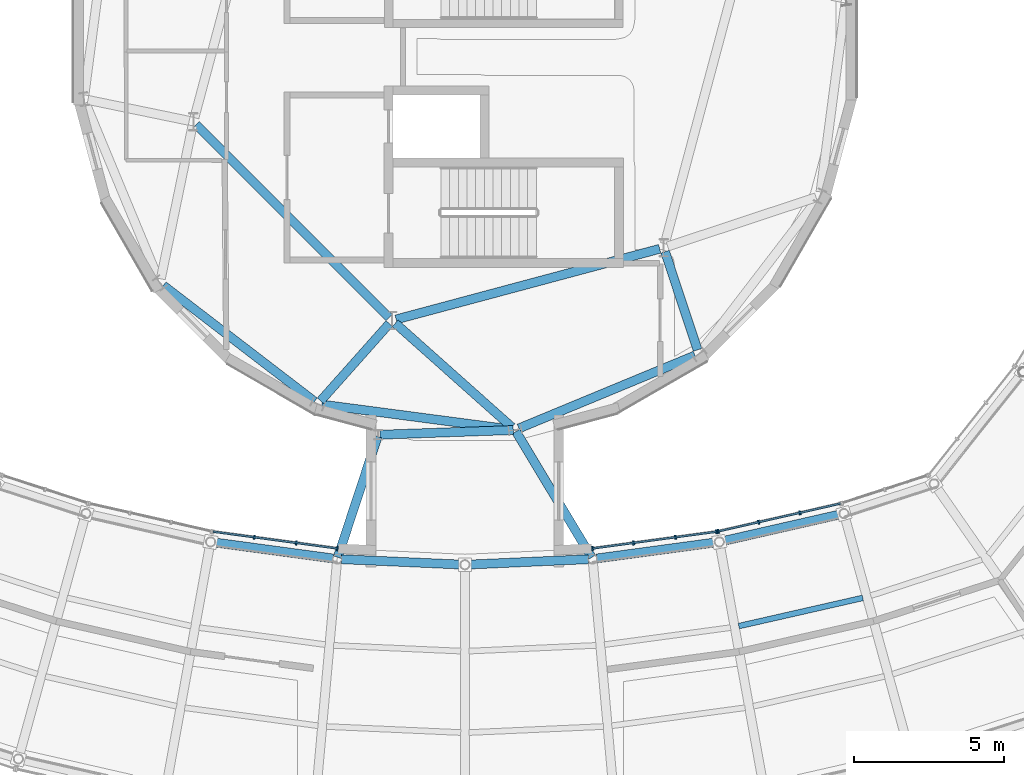
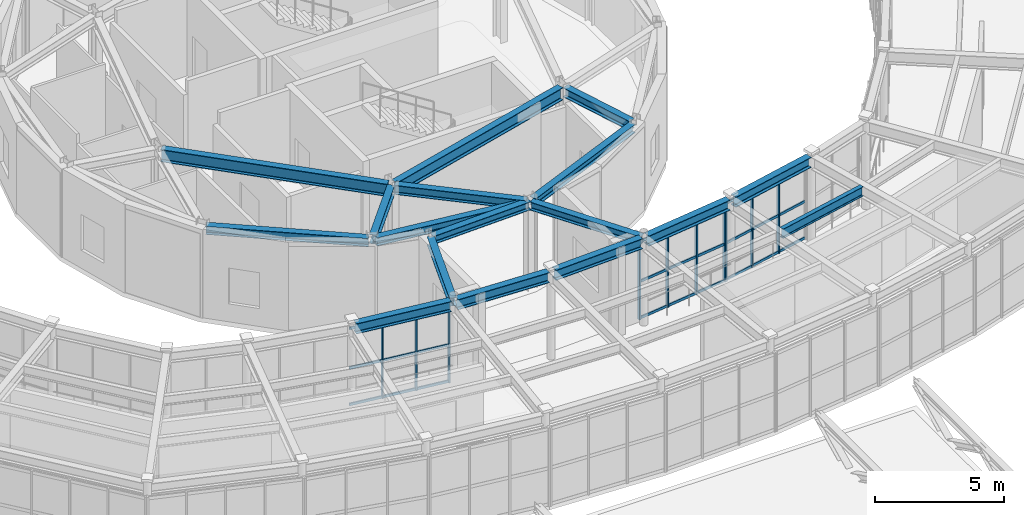
# One storey, part 28 of 103: 19 members, 17 beams, 3 elements without a shape of their own.
"""IFC4 building model written with IfcOpenShell, lengths in metres."""

from ifc_helpers import new_model, si_unit, direction, frame, origin, origin_2d, place, context, subcontext, project, spatial, rectangle, i_section, extrude, material, material_profile, profile_set, type_object, element, aggregate, save


model = new_model("IFC4")

# Units and contexts
model_context = context("Model", 3, precision=1e-05, world=origin(), true_north=direction((0.0, 1.0)))
body_context = subcontext(model_context, "Body", "Model", "MODEL_VIEW")
ifc_project = project(units=[si_unit("LENGTHUNIT", "METRE"), si_unit("AREAUNIT", "SQUARE_METRE"), si_unit("VOLUMEUNIT", "CUBIC_METRE"), si_unit("PLANEANGLEUNIT", "RADIAN"), si_unit("MASSUNIT", "GRAM", prefix="KILO")], contexts=[model_context])

# Site, building, storey
site_placement = place(None, origin())
site = spatial("IfcSite", under=ifc_project, at=site_placement, CompositionType="ELEMENT")
building_placement = place(site_placement, origin())
building = spatial("IfcBuilding", under=site, at=building_placement, Name="Varnklinge Art Gallery", CompositionType="ELEMENT")
storey_placement = place(building_placement, frame((0.0, 0.0, 5.10009765625)))
storey = spatial("IfcBuildingStorey", under=building, at=storey_placement, Name="L01", CompositionType="ELEMENT", Elevation=5.10009765625)

# Beams
ifc_material_1 = material(Name="Steel S355", Category="steel")
ifc_material_profile_1 = material_profile(ifc_material_1, i_section(OverallWidth=0.300048828125, OverallDepth=0.590087890625, WebThickness=0.012939453125, FlangeThickness=0.02490234375, FilletRadius=0.027099609375, at=origin_2d()), Name="HEA 600")
ifc_profile_set_1 = profile_set([ifc_material_profile_1], Name="Steel S355")
beam_type_1 = type_object("IfcBeamType", Name="BM-06", PredefinedType="BEAM", material=ifc_profile_set_1)
beam_1_placement = place(storey_placement, frame((66.519287109375, 35.968017578125, 3.90478515625), z_axis=(0.707106781187, -0.707106781187, 0.0), x_axis=(0.707106781187, 0.707106781187, 0.0)))
element("IfcBeam", 1, at=beam_1_placement, inside=storey, type_object=beam_type_1, Name="L01 BM-06 BM-V4D-L02-I4", PredefinedType="BEAM", context=body_context, shape_type="SweptSolid", body=[
    extrude(i_section(OverallWidth=0.300048828125, OverallDepth=0.590087890625, WebThickness=0.012939453125, FlangeThickness=0.02490234375, FilletRadius=0.027099609375, at=origin_2d()), origin(), (0.0, 0.0, 1.0), 9.119873046875),
])
beam_2_placement = place(storey_placement, frame((73.202392578125, 29.45654296875, 3.90478515625), z_axis=(0.965928574877, 0.258808787016, 0.0), x_axis=(-0.258808787016, 0.965928574877, 0.0)))
element("IfcBeam", 2, at=beam_2_placement, inside=storey, type_object=beam_type_1, Name="L01 BM-06 BM-V4D-L02-I5", PredefinedType="BEAM", context=body_context, shape_type="SweptSolid", body=[
    extrude(i_section(OverallWidth=0.300048828125, OverallDepth=0.590087890625, WebThickness=0.012939453125, FlangeThickness=0.02490234375, FilletRadius=0.027099609375, at=origin_2d()), origin(), (0.0, 0.0, 1.0), 9.1201171875),
])
ifc_material_2 = material(Name="Steel S355", Category="steel")
ifc_material_profile_2 = material_profile(ifc_material_2, i_section(OverallWidth=0.300048828125, OverallDepth=0.43994140625, WebThickness=0.011474609375, FlangeThickness=0.02099609375, FilletRadius=0.027099609375, at=origin_2d()), Name="HEA 450")
ifc_profile_set_2 = profile_set([ifc_material_profile_2], Name="Steel S355")
beam_type_2 = type_object("IfcBeamType", Name="BM-08", PredefinedType="BEAM", material=ifc_profile_set_2)
beam_3_placement = place(storey_placement, frame((72.97412109375, 29.315673828125, 3.97998046875), z_axis=(-0.664780083084, -0.747039116201, 0.0), x_axis=(0.747039116201, -0.664780083084, 0.0)))
element("IfcBeam", 3, at=beam_3_placement, inside=storey, type_object=beam_type_2, Name="L01 BM-08 BM-V4D-L02-R09", PredefinedType="BEAM", context=body_context, shape_type="SweptSolid", body=[
    extrude(i_section(OverallWidth=0.300048828125, OverallDepth=0.43994140625, WebThickness=0.011474609375, FlangeThickness=0.02099609375, FilletRadius=0.027099609375, at=origin_2d()), origin(), (0.0, 0.0, 1.0), 3.457763671875),
])
beam_4_placement = place(storey_placement, frame((73.171630859375, 29.3271484375, 3.97998046875), z_axis=(0.746795307155, -0.665053959623, 0.0), x_axis=(0.665053959623, 0.746795307155, 0.0)))
element("IfcBeam", 4, at=beam_4_placement, inside=storey, type_object=beam_type_2, Name="L01 BM-08 BM-V4D-L02-R10", PredefinedType="BEAM", context=body_context, shape_type="SweptSolid", body=[
    extrude(i_section(OverallWidth=0.300048828125, OverallDepth=0.43994140625, WebThickness=0.011474609375, FlangeThickness=0.02099609375, FilletRadius=0.027099609375, at=origin_2d()), origin(), (0.0, 0.0, 1.0), 5.223876953125),
])
beam_5_placement = place(storey_placement, frame((82.19091796875, 31.72021484375, 3.97998046875), z_axis=(0.314574973389, -0.949232630137, 0.0), x_axis=(0.949232630137, 0.314574973389, 0.0)))
element("IfcBeam", 5, at=beam_5_placement, inside=storey, type_object=beam_type_2, Name="L01 BM-08 BM-V4D-L02-R11", PredefinedType="BEAM", context=body_context, shape_type="SweptSolid", body=[
    extrude(i_section(OverallWidth=0.300048828125, OverallDepth=0.43994140625, WebThickness=0.011474609375, FlangeThickness=0.02099609375, FilletRadius=0.027099609375, at=origin_2d()), origin(), (0.0, 0.0, 1.0), 3.45751953125),
])
ifc_material_3 = material(Name="Steel S355", Category="steel")
ifc_material_profile_3 = material_profile(ifc_material_3, i_section(OverallWidth=0.300048828125, OverallDepth=0.389892578125, WebThickness=0.010986328125, FlangeThickness=0.01904296875, FilletRadius=0.027099609375, at=origin_2d()), Name="HEA 400")
ifc_profile_set_3 = profile_set([ifc_material_profile_3], Name="Steel S355")
beam_type_3 = type_object("IfcBeamType", Name="BM-09", PredefinedType="BEAM", material=ifc_profile_set_3)
beam_6_placement = place(storey_placement, frame((79.73828125, 21.497314453125, 3.98486328125), z_axis=(-0.514992622246, 0.857194609778, 0.0), x_axis=(-0.857194609778, -0.514992622246, 0.0)))
element("IfcBeam", 6, at=beam_6_placement, inside=storey, type_object=beam_type_3, Name="L01 BM-09 BM-LNK-V4S-L02-2", PredefinedType="BEAM", context=body_context, shape_type="SweptSolid", body=[
    extrude(i_section(OverallWidth=0.300048828125, OverallDepth=0.389892578125, WebThickness=0.010986328125, FlangeThickness=0.01904296875, FilletRadius=0.027099609375, at=origin_2d()), origin(), (0.0, 0.0, 1.0), 4.912841796875),
])
beam_7_placement = place(storey_placement, frame((77.1171875, 25.7578125, 4.0048828125), z_axis=(-0.999389964671, -0.034924182366, 0.0), x_axis=(0.034924182366, -0.999389964671, 0.0)))
element("IfcBeam", 7, at=beam_7_placement, inside=storey, type_object=beam_type_3, Name="L01 BM-09 BM-LNK-V4S-L02-3", PredefinedType="BEAM", context=body_context, shape_type="SweptSolid", body=[
    extrude(i_section(OverallWidth=0.300048828125, OverallDepth=0.389892578125, WebThickness=0.010986328125, FlangeThickness=0.01904296875, FilletRadius=0.027099609375, at=origin_2d()), origin(), (0.0, 0.0, 1.0), 4.4599609375),
])
beam_8_placement = place(storey_placement, frame((72.581298828125, 25.54296875, 3.98486328125), z_axis=(-0.313075182733, -0.949728345348, 0.0), x_axis=(0.949728345348, -0.313075182733, 0.0)))
element("IfcBeam", 8, at=beam_8_placement, inside=storey, type_object=beam_type_3, Name="L01 BM-09 BM-LNK-V4S-L02-4", PredefinedType="BEAM", context=body_context, shape_type="SweptSolid", body=[
    extrude(i_section(OverallWidth=0.300048828125, OverallDepth=0.389892578125, WebThickness=0.010986328125, FlangeThickness=0.01904296875, FilletRadius=0.027099609375, at=origin_2d()), origin(), (0.0, 0.0, 1.0), 4.25390625),
])
ifc_material_4 = material(Name="Steel S355", Category="steel")
ifc_material_profile_4 = material_profile(ifc_material_4, i_section(OverallWidth=0.18994140625, OverallDepth=0.449951171875, WebThickness=0.009521484375, FlangeThickness=0.0146484375, FilletRadius=0.02099609375, at=origin_2d()), Name="IPE 450")
ifc_profile_set_4 = profile_set([ifc_material_profile_4], Name="Steel S355")
beam_type_4 = type_object("IfcBeamType", Name="JST-04", PredefinedType="JOIST", material=ifc_profile_set_4)
beam_9_placement = place(storey_placement, frame((84.65625, 19.202392578125, 3.954833984375), z_axis=(0.975058358995, 0.221948634943, 0.0), x_axis=(-0.221948634943, 0.975058358995, 0.0)))
element("IfcBeam", 9, at=beam_9_placement, inside=storey, type_object=beam_type_4, Name="L01 JST-04 JST-V2-L02-39-2", PredefinedType="JOIST", context=body_context, shape_type="SweptSolid", body=[
    extrude(i_section(OverallWidth=0.18994140625, OverallDepth=0.449951171875, WebThickness=0.009521484375, FlangeThickness=0.0146484375, FilletRadius=0.02099609375, at=origin_2d()), origin(), (0.0, 0.0, 1.0), 4.25244140625),
])

# Curtain wall, members
ifc_material_5 = material(Name="Anodised Aluminium", Category="aluminium")
curtain_wall_type = type_object("IfcCurtainWallType", Name="CW-R04", PredefinedType="USERDEFINED", material=ifc_material_5)
curtain_wall_1_placement = place(storey_placement, origin())
curtain_wall_1 = element("IfcCurtainWall", 10, at=curtain_wall_1_placement, inside=storey, type_object=curtain_wall_type, Name="L01 Curtain Wall CW-V2I-L01-35", ObjectType="UNITISED CURTAIN WALL", PredefinedType="USERDEFINED")
ifc_material_6 = material(Name="Anodised Aluminium", Category="aluminium")
ifc_material_profile_5 = material_profile(ifc_material_6, rectangle(XDim=0.06005859375, YDim=0.139892578125, at=origin_2d()), Name="ALU 60x140")
ifc_profile_set_5 = profile_set([ifc_material_profile_5], Name="Anodised Aluminium")
member_type_1 = type_object("IfcMemberType", Name="MUL-03", PredefinedType="MULLION", material=ifc_profile_set_5)
member_1_placement = place(storey_placement, frame((71.232421875, 21.798583984375, 0.0), z_axis=(0.0, 0.0, 1.0), x_axis=(-0.990983199715, 0.133986185418, 0.0)))
member_1 = element("IfcMember", 11, at=member_1_placement, type_object=member_type_1, Name="CW-V2I-L01-35 Mullion 1", PredefinedType="MULLION", context=body_context, shape_type="SweptSolid", body=[
    extrude(rectangle(XDim=0.06005859375, YDim=0.139892578125, at=origin_2d()), origin(), (0.0, 0.0, 1.0), 3.72998046875),
])
member_2_placement = place(storey_placement, frame((69.860595703125, 21.98388671875, 0.0), z_axis=(0.0, 0.0, 1.0), x_axis=(-0.990983199715, 0.133986185418, 0.0)))
member_2 = element("IfcMember", 12, at=member_2_placement, type_object=member_type_1, Name="CW-V2I-L01-35 Mullion 2", PredefinedType="MULLION", context=body_context, shape_type="SweptSolid", body=[
    extrude(rectangle(XDim=0.06005859375, YDim=0.139892578125, at=origin_2d()), origin(), (0.0, 0.0, 1.0), 3.72998046875),
])
member_3_placement = place(storey_placement, frame((68.459228515625, 22.173095703125, 0.0), z_axis=(0.0, 0.0, 1.0), x_axis=(-0.990983199715, 0.133986185418, 0.0)))
member_3 = element("IfcMember", 13, at=member_3_placement, type_object=member_type_1, Name="CW-V2I-L01-35 Mullion 3", PredefinedType="MULLION", context=body_context, shape_type="SweptSolid", body=[
    extrude(rectangle(XDim=0.06005859375, YDim=0.139892578125, at=origin_2d()), origin(), (0.0, 0.0, 1.0), 3.72998046875),
])

curtain_wall_2_placement = place(storey_placement, origin())
curtain_wall_2 = element("IfcCurtainWall", 14, at=curtain_wall_2_placement, inside=storey, type_object=curtain_wall_type, Name="L01 Curtain Wall CW-V2I-L01-38", ObjectType="UNITISED CURTAIN WALL", PredefinedType="USERDEFINED")
member_4_placement = place(storey_placement, frame((83.912353515625, 22.358642578125, 0.0), z_axis=(0.0, 0.0, 1.0), x_axis=(-0.990983199715, -0.133986185418, 0.0)))
member_4 = element("IfcMember", 15, at=member_4_placement, type_object=member_type_1, Name="CW-V2I-L01-38 Mullion 1", PredefinedType="MULLION", context=body_context, shape_type="SweptSolid", body=[
    extrude(rectangle(XDim=0.06005859375, YDim=0.139892578125, at=origin_2d()), origin(), (0.0, 0.0, 1.0), 3.72998046875),
])
member_5_placement = place(storey_placement, frame((82.540771484375, 22.173095703125, 0.0), z_axis=(0.0, 0.0, 1.0), x_axis=(-0.990983199715, -0.133986185418, 0.0)))
member_5 = element("IfcMember", 16, at=member_5_placement, type_object=member_type_1, Name="CW-V2I-L01-38 Mullion 2", PredefinedType="MULLION", context=body_context, shape_type="SweptSolid", body=[
    extrude(rectangle(XDim=0.06005859375, YDim=0.139892578125, at=origin_2d()), origin(), (0.0, 0.0, 1.0), 3.72998046875),
])
member_6_placement = place(storey_placement, frame((81.139404296875, 21.98388671875, 0.0), z_axis=(0.0, 0.0, 1.0), x_axis=(-0.990983199715, -0.133986185418, 0.0)))
member_6 = element("IfcMember", 17, at=member_6_placement, type_object=member_type_1, Name="CW-V2I-L01-38 Mullion 3", PredefinedType="MULLION", context=body_context, shape_type="SweptSolid", body=[
    extrude(rectangle(XDim=0.06005859375, YDim=0.139892578125, at=origin_2d()), origin(), (0.0, 0.0, 1.0), 3.72998046875),
])
member_7_placement = place(storey_placement, frame((79.767578125, 21.798583984375, 0.0), z_axis=(0.0, 0.0, 1.0), x_axis=(-0.990983199715, -0.133986185418, 0.0)))
member_7 = element("IfcMember", 18, at=member_7_placement, type_object=member_type_1, Name="CW-V2I-L01-38 Mullion 4", PredefinedType="MULLION", context=body_context, shape_type="SweptSolid", body=[
    extrude(rectangle(XDim=0.06005859375, YDim=0.139892578125, at=origin_2d()), origin(), (0.0, 0.0, 1.0), 3.72998046875),
])

curtain_wall_3_placement = place(storey_placement, origin())
curtain_wall_3 = element("IfcCurtainWall", 19, at=curtain_wall_3_placement, inside=storey, type_object=curtain_wall_type, Name="L01 Curtain Wall CW-V2I-L01-39", ObjectType="UNITISED CURTAIN WALL", PredefinedType="USERDEFINED")
member_8_placement = place(storey_placement, frame((86.69970703125, 22.990234375, 0.0), z_axis=(0.0, 0.0, 1.0), x_axis=(-0.975071959883, -0.221888875454, 0.0)))
member_8 = element("IfcMember", 20, at=member_8_placement, type_object=member_type_1, Name="CW-V2I-L01-39 Mullion 2", PredefinedType="MULLION", context=body_context, shape_type="SweptSolid", body=[
    extrude(rectangle(XDim=0.06005859375, YDim=0.139892578125, at=origin_2d()), origin(), (0.0, 0.0, 1.0), 3.72998046875),
])
member_9_placement = place(storey_placement, frame((85.32080078125, 22.676513671875, 0.0), z_axis=(0.0, 0.0, 1.0), x_axis=(-0.975071959883, -0.221888875454, 0.0)))
member_9 = element("IfcMember", 21, at=member_9_placement, type_object=member_type_1, Name="CW-V2I-L01-39 Mullion 3", PredefinedType="MULLION", context=body_context, shape_type="SweptSolid", body=[
    extrude(rectangle(XDim=0.06005859375, YDim=0.139892578125, at=origin_2d()), origin(), (0.0, 0.0, 1.0), 3.72998046875),
])
member_10_placement = place(storey_placement, frame((83.971435546875, 22.369384765625, 0.0), z_axis=(0.0, 0.0, 1.0), x_axis=(-0.975071959883, -0.221888875454, 0.0)))
member_10 = element("IfcMember", 22, at=member_10_placement, type_object=member_type_1, Name="CW-V2I-L01-39 Mullion 4", PredefinedType="MULLION", context=body_context, shape_type="SweptSolid", body=[
    extrude(rectangle(XDim=0.06005859375, YDim=0.139892578125, at=origin_2d()), origin(), (0.0, 0.0, 1.0), 3.72998046875),
])

# Beams
ifc_material_7 = material(Name="Steel S355", Category="steel")
ifc_material_profile_6 = material_profile(ifc_material_7, i_section(OverallWidth=0.300048828125, OverallDepth=0.489990234375, WebThickness=0.011962890625, FlangeThickness=0.02294921875, FilletRadius=0.027099609375, at=origin_2d()), Name="HEA 500")
ifc_profile_set_6 = profile_set([ifc_material_profile_6], Name="Steel S355")
beam_type_5 = type_object("IfcBeamType", Name="SPB-01", PredefinedType="SPANDREL", material=ifc_profile_set_6)
beam_10_placement = place(storey_placement, frame((67.13427734375, 21.99951171875, 3.934814453125), z_axis=(0.990989799055, -0.133937366586, 0.0), x_axis=(0.133937366586, 0.990989799055, 0.0)))
element("IfcBeam", 23, at=beam_10_placement, inside=storey, type_object=beam_type_5, Name="L01 SPB-01 BM-V2-L02-I35", PredefinedType="SPANDREL", context=body_context, shape_type="SweptSolid", body=[
    extrude(i_section(OverallWidth=0.300048828125, OverallDepth=0.489990234375, WebThickness=0.011962890625, FlangeThickness=0.02294921875, FilletRadius=0.027099609375, at=origin_2d()), origin(), (0.0, 0.0, 1.0), 3.99365234375),
])
for number, where, z_axis, x_axis, name in (
    (24, (71.37060546875, 21.439697265625, 3.934814453125), (0.998998197966, -0.044750424142, 0.0), (0.044750424142, 0.998998197966, 0.0), "L01 SPB-01 BM-V2-L02-I36"),
    (25, (75.639892578125, 21.260986328125, 3.934814453125), (0.998998197966, 0.044750424142, 0.0), (-0.044750424142, 0.998998197966, 0.0), "L01 SPB-01 BM-V2-L02-I37"),
):
    element("IfcBeam", number, at=place(storey_placement, frame(where, z_axis=z_axis, x_axis=x_axis)), inside=storey, type_object=beam_type_5, Name=name, PredefinedType="SPANDREL", context=body_context, shape_type="SweptSolid", body=[
        extrude(i_section(OverallWidth=0.300048828125, OverallDepth=0.489990234375, WebThickness=0.011962890625, FlangeThickness=0.02294921875, FilletRadius=0.027099609375, at=origin_2d()), origin(), (0.0, 0.0, 1.0), 3.993408203125),
    ])
for number, where, z_axis, x_axis, name in (
    (26, (79.907958984375, 21.464599609375, 3.934814453125), (0.990989799055, 0.133937366586, 0.0), (-0.133937366586, 0.990989799055, 0.0), "L01 SPB-01 BM-V2-L02-I38"),
    (27, (84.140869140625, 22.04931640625, 3.934814453125), (0.975053526144, 0.221969865419, 0.0), (-0.221969865419, 0.975053526144, 0.0), "L01 SPB-01 BM-V2-L02-I39"),
):
    element("IfcBeam", number, at=place(storey_placement, frame(where, z_axis=z_axis, x_axis=x_axis)), inside=storey, type_object=beam_type_5, Name=name, PredefinedType="SPANDREL", context=body_context, shape_type="SweptSolid", body=[
        extrude(i_section(OverallWidth=0.300048828125, OverallDepth=0.489990234375, WebThickness=0.011962890625, FlangeThickness=0.02294921875, FilletRadius=0.027099609375, at=origin_2d()), origin(), (0.0, 0.0, 1.0), 3.99365234375),
    ])
ifc_material_8 = material(Name="Steel S355", Category="steel")
ifc_material_profile_7 = material_profile(ifc_material_8, i_section(OverallWidth=0.300048828125, OverallDepth=0.389892578125, WebThickness=0.010986328125, FlangeThickness=0.01904296875, FilletRadius=0.027099609375, at=origin_2d()), Name="HEA 400")
ifc_profile_set_7 = profile_set([ifc_material_profile_7], Name="Steel S355")
beam_type_6 = type_object("IfcBeamType", Name="SPB-03", PredefinedType="SPANDREL", material=ifc_profile_set_7)
beam_11_placement = place(storey_placement, frame((65.41650390625, 30.59228515625, 4.0048828125), z_axis=(0.793344185287, -0.608773359857, 0.0), x_axis=(0.608773359857, 0.793344185287, 0.0)))
element("IfcBeam", 28, at=beam_11_placement, inside=storey, type_object=beam_type_6, Name="L01 SPB-03 BM-V4D-L02-P08", PredefinedType="SPANDREL", context=body_context, shape_type="SweptSolid", body=[
    extrude(i_section(OverallWidth=0.300048828125, OverallDepth=0.389892578125, WebThickness=0.010986328125, FlangeThickness=0.01904296875, FilletRadius=0.027099609375, at=origin_2d()), origin(), (0.0, 0.0, 1.0), 6.37158203125),
])
beam_12_placement = place(storey_placement, frame((70.72119140625, 26.60986328125, 4.0048828125), z_axis=(0.991448034575, -0.130502087099, 0.0), x_axis=(0.130502087099, 0.991448034575, 0.0)))
element("IfcBeam", 29, at=beam_12_placement, inside=storey, type_object=beam_type_6, Name="L01 SPB-03 BM-V4D-L02-P09", PredefinedType="SPANDREL", context=body_context, shape_type="SweptSolid", body=[
    extrude(i_section(OverallWidth=0.300048828125, OverallDepth=0.389892578125, WebThickness=0.010986328125, FlangeThickness=0.01904296875, FilletRadius=0.027099609375, at=origin_2d()), origin(), (0.0, 0.0, 1.0), 6.371826171875),
])
beam_13_placement = place(storey_placement, frame((77.306640625, 25.8134765625, 4.0048828125), z_axis=(0.923886541746, 0.382666510137, 0.0), x_axis=(-0.382666510137, 0.923886541746, 0.0)))
element("IfcBeam", 30, at=beam_13_placement, inside=storey, type_object=beam_type_6, Name="L01 SPB-03 BM-V4D-L02-P10", PredefinedType="SPANDREL", context=body_context, shape_type="SweptSolid", body=[
    extrude(i_section(OverallWidth=0.300048828125, OverallDepth=0.389892578125, WebThickness=0.010986328125, FlangeThickness=0.01904296875, FilletRadius=0.027099609375, at=origin_2d()), origin(), (0.0, 0.0, 1.0), 6.37158203125),
])

# Member
ifc_material_9 = material(Name="Anodised Aluminium", Category="aluminium")
ifc_material_profile_8 = material_profile(ifc_material_9, rectangle(XDim=0.06005859375, YDim=0.1201171875, at=origin_2d()), Name="ALU 60x120")
ifc_profile_set_8 = profile_set([ifc_material_profile_8], Name="Anodised Aluminium")
member_type_2 = type_object("IfcMemberType", Name="TRN-02", PredefinedType="USERDEFINED", material=ifc_profile_set_8)
member_11_placement = place(storey_placement, frame((71.232421875, 21.798583984375, 0.059814453125), z_axis=(-0.99099389595, 0.133907050557, 0.0), x_axis=(-0.133907050557, -0.99099389595, 0.0)))
member_11 = element("IfcMember", 31, at=member_11_placement, type_object=member_type_2, Name="CW-V2I-L01-35 Transom 1", ObjectType="TRANSOM", PredefinedType="USERDEFINED", context=body_context, shape_type="SweptSolid", body=[
    extrude(rectangle(XDim=0.06005859375, YDim=0.1201171875, at=origin_2d()), origin(), (0.0, 0.0, 1.0), 4.182373046875),
])

member_12_placement = place(storey_placement, frame((71.232421875, 21.798583984375, 1.790283203125), z_axis=(-0.99099389595, 0.133907050557, 0.0), x_axis=(-0.133907050557, -0.99099389595, 0.0)))
member_12 = element("IfcMember", 32, at=member_12_placement, type_object=member_type_2, Name="CW-V2I-L01-35 Transom 2", ObjectType="TRANSOM", PredefinedType="USERDEFINED", context=body_context, shape_type="SweptSolid", body=[
    extrude(rectangle(XDim=0.06005859375, YDim=0.1201171875, at=origin_2d()), origin(), (0.0, 0.0, 1.0), 4.182373046875),
])

member_13_placement = place(storey_placement, frame((71.232421875, 21.798583984375, 3.669921875), z_axis=(-0.99099389595, 0.133907050557, 0.0), x_axis=(-0.133907050557, -0.99099389595, 0.0)))
member_13 = element("IfcMember", 33, at=member_13_placement, type_object=member_type_2, Name="CW-V2I-L01-35 Transom 3", ObjectType="TRANSOM", PredefinedType="USERDEFINED", context=body_context, shape_type="SweptSolid", body=[
    extrude(rectangle(XDim=0.06005859375, YDim=0.1201171875, at=origin_2d()), origin(), (0.0, 0.0, 1.0), 4.182373046875),
])

aggregate(curtain_wall_1, [member_1, member_2, member_3, member_11, member_12, member_13])

member_14_placement = place(storey_placement, frame((83.912353515625, 22.358642578125, 0.059814453125), z_axis=(-0.99099389595, -0.133907050557, 0.0), x_axis=(0.133907050557, -0.99099389595, 0.0)))
member_14 = element("IfcMember", 34, at=member_14_placement, type_object=member_type_2, Name="CW-V2I-L01-38 Transom 1", ObjectType="TRANSOM", PredefinedType="USERDEFINED", context=body_context, shape_type="SweptSolid", body=[
    extrude(rectangle(XDim=0.06005859375, YDim=0.1201171875, at=origin_2d()), origin(), (0.0, 0.0, 1.0), 4.182373046875),
])

member_15_placement = place(storey_placement, frame((83.912353515625, 22.358642578125, 1.790283203125), z_axis=(-0.99099389595, -0.133907050557, 0.0), x_axis=(0.133907050557, -0.99099389595, 0.0)))
member_15 = element("IfcMember", 35, at=member_15_placement, type_object=member_type_2, Name="CW-V2I-L01-38 Transom 2", ObjectType="TRANSOM", PredefinedType="USERDEFINED", context=body_context, shape_type="SweptSolid", body=[
    extrude(rectangle(XDim=0.06005859375, YDim=0.1201171875, at=origin_2d()), origin(), (0.0, 0.0, 1.0), 4.182373046875),
])

member_16_placement = place(storey_placement, frame((83.912353515625, 22.358642578125, 3.669921875), z_axis=(-0.99099389595, -0.133907050557, 0.0), x_axis=(0.133907050557, -0.99099389595, 0.0)))
member_16 = element("IfcMember", 36, at=member_16_placement, type_object=member_type_2, Name="CW-V2I-L01-38 Transom 3", ObjectType="TRANSOM", PredefinedType="USERDEFINED", context=body_context, shape_type="SweptSolid", body=[
    extrude(rectangle(XDim=0.06005859375, YDim=0.1201171875, at=origin_2d()), origin(), (0.0, 0.0, 1.0), 4.182373046875),
])

aggregate(curtain_wall_2, [member_4, member_5, member_6, member_7, member_14, member_15, member_16])

member_17_placement = place(storey_placement, frame((88.04931640625, 23.297607421875, 0.059814453125), z_axis=(-0.975058827612, -0.221946576219, 0.0), x_axis=(0.221946576219, -0.975058827612, 0.0)))
member_17 = element("IfcMember", 37, at=member_17_placement, type_object=member_type_2, Name="CW-V2I-L01-39 Transom 1", ObjectType="TRANSOM", PredefinedType="USERDEFINED", context=body_context, shape_type="SweptSolid", body=[
    extrude(rectangle(XDim=0.06005859375, YDim=0.1201171875, at=origin_2d()), origin(), (0.0, 0.0, 1.0), 4.18212890625),
])

member_18_placement = place(storey_placement, frame((88.04931640625, 23.297607421875, 1.790283203125), z_axis=(-0.975058827612, -0.221946576219, 0.0), x_axis=(0.221946576219, -0.975058827612, 0.0)))
member_18 = element("IfcMember", 38, at=member_18_placement, type_object=member_type_2, Name="CW-V2I-L01-39 Transom 2", ObjectType="TRANSOM", PredefinedType="USERDEFINED", context=body_context, shape_type="SweptSolid", body=[
    extrude(rectangle(XDim=0.06005859375, YDim=0.1201171875, at=origin_2d()), origin(), (0.0, 0.0, 1.0), 4.18212890625),
])

member_19_placement = place(storey_placement, frame((88.04931640625, 23.297607421875, 3.669921875), z_axis=(-0.975058827612, -0.221946576219, 0.0), x_axis=(0.221946576219, -0.975058827612, 0.0)))
member_19 = element("IfcMember", 39, at=member_19_placement, type_object=member_type_2, Name="CW-V2I-L01-39 Transom 3", ObjectType="TRANSOM", PredefinedType="USERDEFINED", context=body_context, shape_type="SweptSolid", body=[
    extrude(rectangle(XDim=0.06005859375, YDim=0.1201171875, at=origin_2d()), origin(), (0.0, 0.0, 1.0), 4.18212890625),
])

aggregate(curtain_wall_3, [member_8, member_9, member_10, member_17, member_18, member_19])

save(model, "model.ifc")
